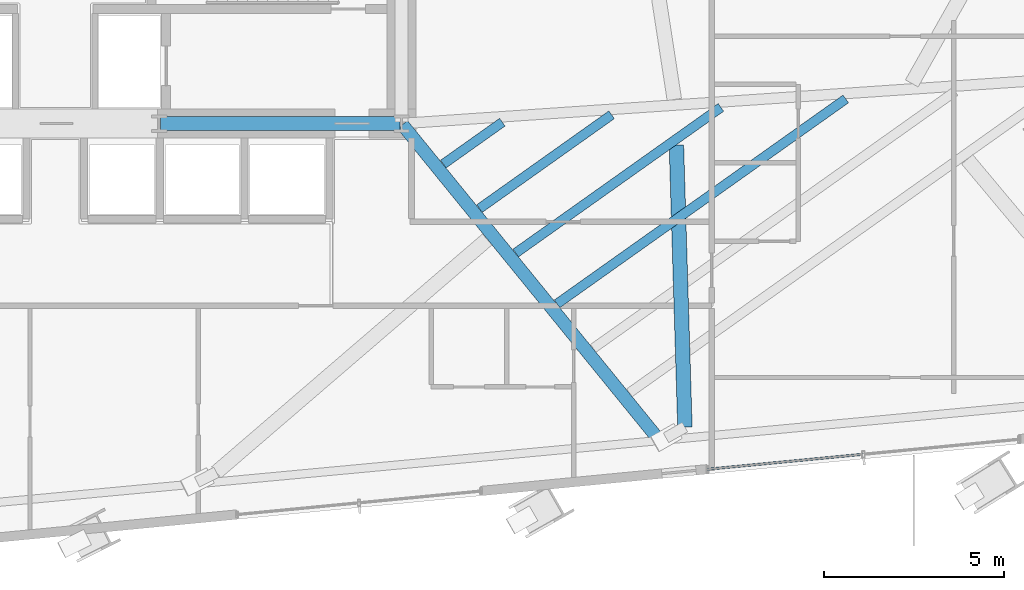
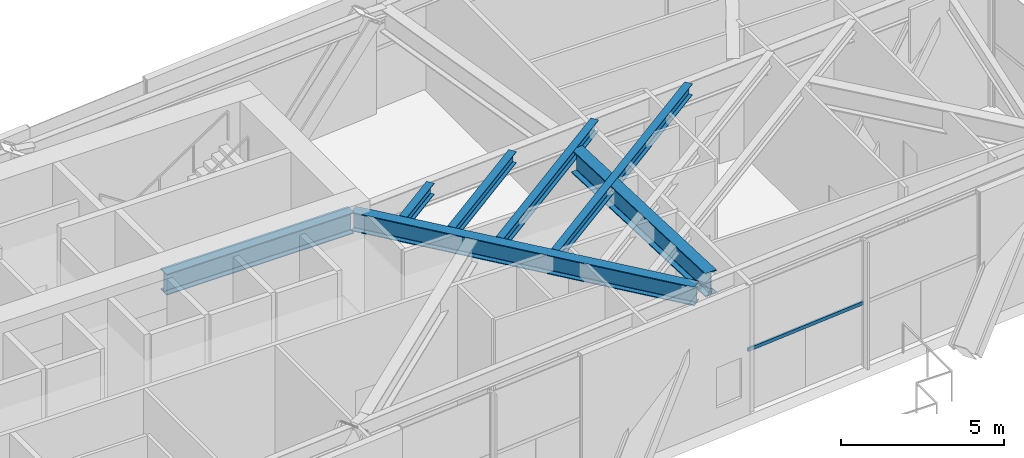
# One storey, part 10 of 28: 7 beams, 1 member, 1 element without a shape of its own.
"""IFC4 building model written with IfcOpenShell, lengths in metres."""

from ifc_helpers import new_model, si_unit, direction, frame, origin, origin_2d, place, context, subcontext, project, spatial, hollow_rectangle, i_section, extrude, source, transform, mapped, material, material_profile, profile_set, type_object, type_shapes, element, aggregate, save


model = new_model("IFC4")

# Units and contexts
model_context = context("Model", 3, precision=1e-05, world=origin(), true_north=direction((0.0, 1.0)))
body_context = subcontext(model_context, "Body", "Model", "MODEL_VIEW")
ifc_project = project(units=[si_unit("LENGTHUNIT", "METRE"), si_unit("AREAUNIT", "SQUARE_METRE"), si_unit("VOLUMEUNIT", "CUBIC_METRE"), si_unit("PLANEANGLEUNIT", "RADIAN"), si_unit("MASSUNIT", "GRAM", prefix="KILO")], contexts=[model_context])

# Site, building, storey
site_placement = place(None, origin())
site = spatial("IfcSite", under=ifc_project, at=site_placement, CompositionType="ELEMENT")
building_placement = place(site_placement, origin())
building = spatial("IfcBuilding", under=site, at=building_placement, Name="Astriad Promenade Condominiums", CompositionType="ELEMENT")
storey_placement = place(building_placement, frame((0.0, 0.0, 72.60009765625)))
storey = spatial("IfcBuildingStorey", under=building, at=storey_placement, Name="L20", CompositionType="ELEMENT", Elevation=72.60009765625)

# Beams
ifc_material_1 = material(Name="Steel ASTM A992 Grade 50", Category="steel")
ifc_material_profile_1 = material_profile(ifc_material_1, i_section(OverallWidth=0.3837890625, OverallDepth=0.785888671875, WebThickness=0.019775390625, FlangeThickness=0.033447265625, FilletRadius=0.021484375, at=origin_2d()), Name="W30X211")
ifc_profile_set_1 = profile_set([ifc_material_profile_1], Name="Steel ASTM A992 Grade 50")
beam_type_1 = type_object("IfcBeamType", Name="STEEL FLOOR GIRDER W30X211", PredefinedType="BEAM", material=ifc_profile_set_1)
shared_shape_1 = source(origin(), body_context, "Body", "SweptSolid", [
    extrude(i_section(OverallWidth=0.3837890625, OverallDepth=0.785888671875, WebThickness=0.019775390625, FlangeThickness=0.033447265625, FilletRadius=0.021484375, at=origin_2d()), origin(), (0.0, 0.0, 1.0), 6.64013671875),
])
type_shapes(beam_type_1, [shared_shape_1])
beam_1_placement = place(storey_placement, frame((38.919921875, 17.39990234375, 4.386962890625), z_axis=(1.0, 0.0, 0.0), x_axis=(0.0, 1.0, 0.0)))
element("IfcBeam", 1, at=beam_1_placement, inside=storey, type_object=beam_type_1, Name="Core Ring Beam CG-S3-L20", PredefinedType="BEAM", context=body_context, shape_type="MappedRepresentation", body=[
    mapped(shared_shape_1, transform((0.0, 0.0, 0.0), scale=1.0)),
])
ifc_material_profile_2 = material_profile(ifc_material_1, i_section(OverallWidth=0.35791015625, OverallDepth=0.706298828125, WebThickness=0.018310546875, FlangeThickness=0.0302734375, FilletRadius=0.020263671875, at=origin_2d()), Name="W27X178")
ifc_profile_set_2 = profile_set([ifc_material_profile_2], Name="Steel ASTM A992 Grade 50")
beam_type_2 = type_object("IfcBeamType", Name="STEEL FLOOR GIRDER W27X178", PredefinedType="BEAM", material=ifc_profile_set_2)
shared_shape_2 = source(origin(), body_context, "Body", "SweptSolid", [
    extrude(i_section(OverallWidth=0.35791015625, OverallDepth=0.706298828125, WebThickness=0.018310546875, FlangeThickness=0.0302734375, FilletRadius=0.020263671875, at=origin_2d()), origin(), (0.0, 0.0, 1.0), 11.2734375),
])
type_shapes(beam_type_2, [shared_shape_2])
beam_2_placement = place(storey_placement, frame((52.742431640625, 8.626220703125, 4.4267578125), z_axis=(-0.631327742829, 0.775516138539, 0.0), x_axis=(-0.775516138539, -0.631327742829, 0.0)))
element("IfcBeam", 2, at=beam_2_placement, inside=storey, type_object=beam_type_2, Name="Primary Floor Girder PG-E2-L20", PredefinedType="BEAM", context=body_context, shape_type="MappedRepresentation", body=[
    mapped(shared_shape_2, transform((0.0, 0.0, 0.0), scale=1.0)),
])
ifc_material_profile_3 = material_profile(ifc_material_1, i_section(OverallWidth=0.26318359375, OverallDepth=0.425537109375, WebThickness=0.01318359375, FlangeThickness=0.022216796875, FilletRadius=0.013916015625, at=origin_2d()), Name="W16X89")
ifc_profile_set_3 = profile_set([ifc_material_profile_3], Name="Steel ASTM A992 Grade 50")
beam_type_3 = type_object("IfcBeamType", Name="STEEL FLOOR JOIST W16X89", PredefinedType="JOIST", material=ifc_profile_set_3)
shared_shape_3 = source(origin(), body_context, "Body", "SweptSolid", [
    extrude(i_section(OverallWidth=0.26318359375, OverallDepth=0.425537109375, WebThickness=0.01318359375, FlangeThickness=0.022216796875, FilletRadius=0.013916015625, at=origin_2d()), origin(), (0.0, 0.0, 1.0), 9.814697265625),
])
beam_3_placement = place(storey_placement, frame((49.91162109375, 12.40283203125, 4.567138671875), z_axis=(0.815507902179, 0.578745938632, 0.0), x_axis=(-0.578745938632, 0.815507902179, 0.0)))
element("IfcBeam", 3, at=beam_3_placement, inside=storey, type_object=beam_type_3, Name="Secondary Composite Floor Joist JE1-3-L20", PredefinedType="JOIST", context=body_context, shape_type="MappedRepresentation", body=[
    mapped(shared_shape_3, transform((0.0, 0.0, 0.0), scale=1.0)),
])
shared_shape_4 = source(origin(), body_context, "Body", "SweptSolid", [
    extrude(i_section(OverallWidth=0.26318359375, OverallDepth=0.425537109375, WebThickness=0.01318359375, FlangeThickness=0.022216796875, FilletRadius=0.013916015625, at=origin_2d()), origin(), (0.0, 0.0, 1.0), 6.97509765625),
])
beam_4_placement = place(storey_placement, frame((48.764892578125, 13.8115234375, 4.567138671875), z_axis=(0.815503414439, 0.578752262232, 0.0), x_axis=(-0.578752262232, 0.815503414439, 0.0)))
element("IfcBeam", 4, at=beam_4_placement, inside=storey, type_object=beam_type_3, Name="Secondary Composite Floor Joist JE1-4-L20", PredefinedType="JOIST", context=body_context, shape_type="MappedRepresentation", body=[
    mapped(shared_shape_4, transform((0.0, 0.0, 0.0), scale=1.0)),
])
shared_shape_5 = source(origin(), body_context, "Body", "SweptSolid", [
    extrude(i_section(OverallWidth=0.26318359375, OverallDepth=0.425537109375, WebThickness=0.01318359375, FlangeThickness=0.022216796875, FilletRadius=0.013916015625, at=origin_2d()), origin(), (0.0, 0.0, 1.0), 4.490478515625),
])
beam_5_placement = place(storey_placement, frame((47.761474609375, 15.044189453125, 4.567138671875), z_axis=(0.815493072303, 0.578766834767, 0.0), x_axis=(-0.578766834767, 0.815493072303, 0.0)))
element("IfcBeam", 5, at=beam_5_placement, inside=storey, type_object=beam_type_3, Name="Secondary Composite Floor Joist JE1-5-L20", PredefinedType="JOIST", context=body_context, shape_type="MappedRepresentation", body=[
    mapped(shared_shape_5, transform((0.0, 0.0, 0.0), scale=1.0)),
])
shared_shape_6 = source(origin(), body_context, "Body", "SweptSolid", [
    extrude(i_section(OverallWidth=0.26318359375, OverallDepth=0.425537109375, WebThickness=0.01318359375, FlangeThickness=0.022216796875, FilletRadius=0.013916015625, at=origin_2d()), origin(), (0.0, 0.0, 1.0), 2.005859375),
])
type_shapes(beam_type_3, [shared_shape_3, shared_shape_4, shared_shape_5, shared_shape_6])
beam_6_placement = place(storey_placement, frame((46.7578125, 16.27685546875, 4.567138671875), z_axis=(0.815497879045, 0.578760061919, 0.0), x_axis=(-0.578760061919, 0.815497879045, 0.0)))
element("IfcBeam", 6, at=beam_6_placement, inside=storey, type_object=beam_type_3, Name="Secondary Composite Floor Joist JE1-6-L20", PredefinedType="JOIST", context=body_context, shape_type="MappedRepresentation", body=[
    mapped(shared_shape_6, transform((0.0, 0.0, 0.0), scale=1.0)),
])
ifc_material_profile_4 = material_profile(ifc_material_1, i_section(OverallWidth=0.4013671875, OverallDepth=0.877197265625, WebThickness=0.022216796875, FlangeThickness=0.039794921875, FilletRadius=0.02294921875, at=origin_2d()), Name="W33X263")
ifc_profile_set_4 = profile_set([ifc_material_profile_4], Name="Steel ASTM A992 Grade 50")
beam_type_4 = type_object("IfcBeamType", Name="STEEL TRANSFER CARRIER GIRDER W33X263", PredefinedType="BEAM", material=ifc_profile_set_4)
shared_shape_7 = source(origin(), body_context, "Body", "SweptSolid", [
    extrude(i_section(OverallWidth=0.4013671875, OverallDepth=0.877197265625, WebThickness=0.022216796875, FlangeThickness=0.039794921875, FilletRadius=0.02294921875, at=origin_2d()), origin(), (0.0, 0.0, 1.0), 7.817626953125),
])
type_shapes(beam_type_4, [shared_shape_7])
beam_7_placement = place(storey_placement, frame((53.219970703125, 16.801513671875, 4.34130859375), z_axis=(0.030136901772, -0.999545780418, 0.0), x_axis=(0.999545780418, 0.030136901772, 0.0)))
element("IfcBeam", 7, at=beam_7_placement, inside=storey, type_object=beam_type_4, Name="Transfer Splice Carrier TRM-SP-PC04-L20", PredefinedType="BEAM", context=body_context, shape_type="MappedRepresentation", body=[
    mapped(shared_shape_7, transform((0.0, 0.0, 0.0), scale=1.0)),
])

# Curtain wall, member
ifc_material_2 = material(Name="Anodised aluminium Black Dark Glass Unitised", Category="aluminium")
curtain_wall_type = type_object("IfcCurtainWallType", Name="CW-B2-DARK", PredefinedType="USERDEFINED", material=ifc_material_2)
curtain_wall_placement = place(storey_placement, origin())
curtain_wall = element("IfcCurtainWall", 8, at=curtain_wall_placement, inside=storey, type_object=curtain_wall_type, Name="CW-L20-S-1", ObjectType="UNITISED_CURTAIN_WALL", PredefinedType="USERDEFINED")
ifc_material_3 = material(Name="Anodised aluminium 6063-T6 Black", Category="aluminium")
ifc_material_profile_5 = material_profile(ifc_material_3, hollow_rectangle(XDim=0.06494140625, YDim=0.1298828125, WallThickness=0.00390625, at=origin_2d()), Name="ALU-TRN-65X130")
ifc_profile_set_5 = profile_set([ifc_material_profile_5], Name="Anodised aluminium 6063-T6 Black")
member_type = type_object("IfcMemberType", Name="TRN-ALU-TRN-65X130", PredefinedType="USERDEFINED", material=ifc_profile_set_5)
shared_shape_8 = source(origin(), body_context, "Body", "SweptSolid", [
    extrude(hollow_rectangle(XDim=0.06494140625, YDim=0.1298828125, WallThickness=0.00390625, at=origin_2d()), origin(), (0.0, 0.0, 1.0), 4.340087890625),
])
type_shapes(member_type, [shared_shape_8])
member_placement = place(storey_placement, frame((58.401611328125, 8.233154296875, 2.349853515625), z_axis=(-0.995395311238, -0.095854965264, 0.0), x_axis=(0.095854965264, -0.995395311238, 0.0)))
member = element("IfcMember", 9, at=member_placement, type_object=member_type, Name="CW-L20-S-1-TRN-01-0", ObjectType="TRANSOM", PredefinedType="USERDEFINED", context=body_context, shape_type="MappedRepresentation", body=[
    mapped(shared_shape_8, transform((0.0, 0.0, 0.0), scale=1.0)),
])
aggregate(curtain_wall, [member])

save(model, "model.ifc")
